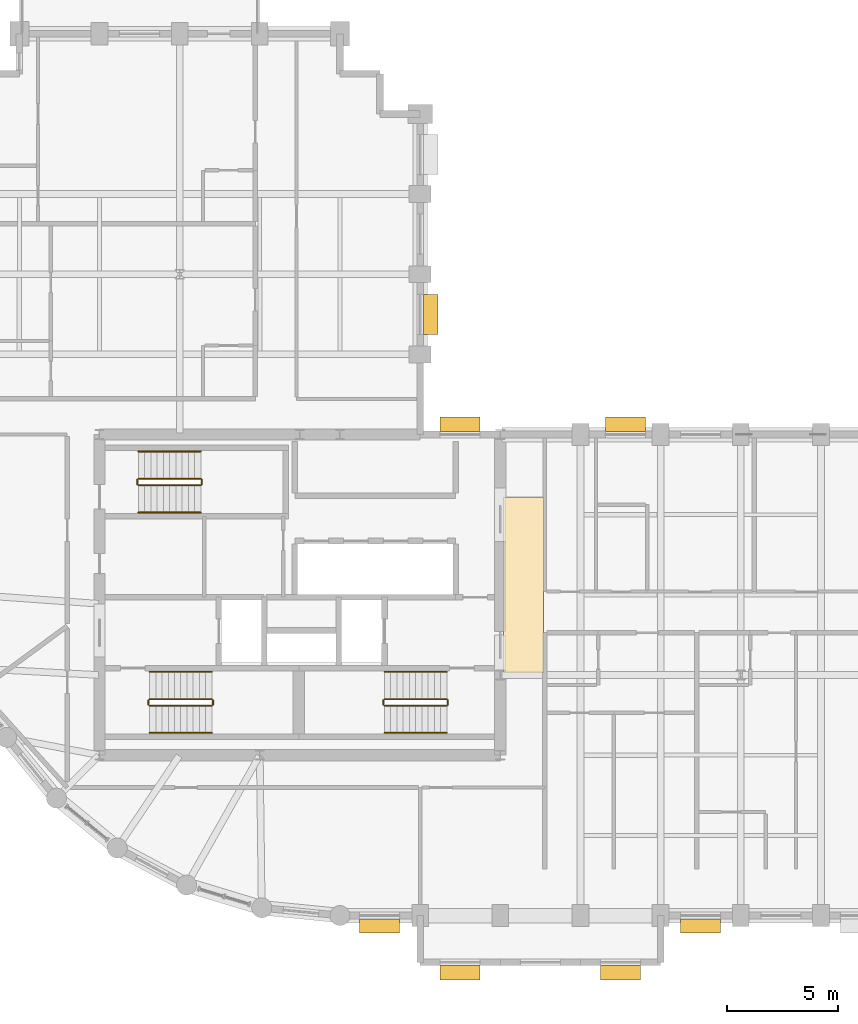
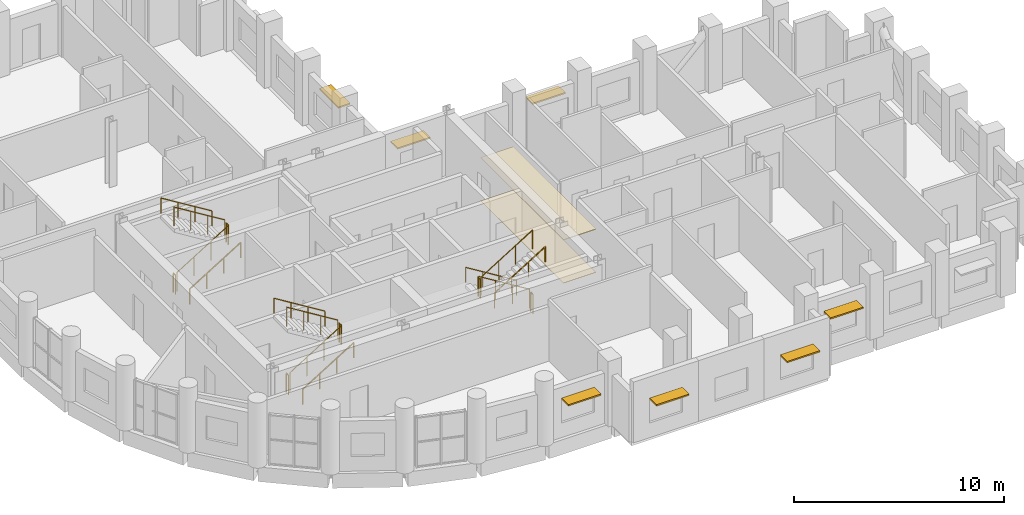
# One storey, part 13 of 14: 18 railings, 7 shading devices, 2 coverings.
"""IFC4 building model written with IfcOpenShell, lengths in metres."""

from ifc_helpers import new_model, si_unit, direction, frame, origin, origin_2d, place, context, subcontext, project, spatial, polyline, rectangle, circle, outline, extrude, material, layer, layer_set, type_object, element, save


model = new_model("IFC4")

# Units and contexts
model_context = context("Model", 3, precision=1e-05, world=origin(), true_north=direction((0.0, 1.0)))
body_context = subcontext(model_context, "Body", "Model", "MODEL_VIEW")
ifc_project = project(units=[si_unit("LENGTHUNIT", "METRE"), si_unit("AREAUNIT", "SQUARE_METRE"), si_unit("VOLUMEUNIT", "CUBIC_METRE"), si_unit("PLANEANGLEUNIT", "RADIAN"), si_unit("MASSUNIT", "GRAM", prefix="KILO")], contexts=[model_context])

# Site, building, storey
site_placement = place(None, origin())
site = spatial("IfcSite", under=ifc_project, at=site_placement, CompositionType="ELEMENT")
building_placement = place(site_placement, origin())
building = spatial("IfcBuilding", under=site, at=building_placement, Name="Solnavia Interchange Tower", CompositionType="ELEMENT")
storey_placement = place(building_placement, frame((0.0, 0.0, 135.199951171875)))
storey = spatial("IfcBuildingStorey", under=building, at=storey_placement, Name="L33", CompositionType="ELEMENT", Elevation=135.199951171875)

# Coverings
ifc_material_1 = material(Name="Perforated Mineral-Fibre & Gypsum Ceiling", Category="gypsum")
ifc_layer_1 = layer(ifc_material_1, 0.0400390625)
ifc_layer_set_1 = layer_set([ifc_layer_1], Name="Perforated Mineral-Fibre & Gypsum Ceiling")
covering_type_1 = type_object("IfcCoveringType", Name="Covering-Ceiling-Acoustic40", PredefinedType="CEILING", material=ifc_layer_set_1)
covering_1_placement = place(storey_placement, frame((0.0, 0.0, 2.5)))
element("IfcCovering", 1, at=covering_1_placement, inside=storey, type_object=covering_type_1, Name="CLG-L33-01 Circulation suspended acoustic ceiling", PredefinedType="CEILING", context=body_context, shape_type="SweptSolid", body=[
    extrude(outline(polyline([(32.550048828125, 14.5), (34.35009765625, 14.5), (34.35009765625, 22.39990234375), (32.550048828125, 22.39990234375), (32.550048828125, 14.5)])), origin(), (0.0, 0.0, 1.0), 0.0400390625),
])
ifc_material_2 = material(Name="Engineered European Oak Flooring", Category="wood")
ifc_layer_2 = layer(ifc_material_2, 0.02001953125)
ifc_layer_set_2 = layer_set([ifc_layer_2], Name="Engineered European Oak Flooring")
covering_type_2 = type_object("IfcCoveringType", Name="Covering-Flooring-Timber20", PredefinedType="FLOORING", material=ifc_layer_set_2)
covering_2_placement = place(storey_placement, origin())
element("IfcCovering", 2, at=covering_2_placement, inside=storey, type_object=covering_type_2, Name="FLR-L33-01 Circulation floor finish", PredefinedType="FLOORING", context=body_context, shape_type="SweptSolid", body=[
    extrude(outline(polyline([(32.550048828125, 14.5), (34.35009765625, 14.5), (34.35009765625, 22.39990234375), (32.550048828125, 22.39990234375), (32.550048828125, 14.5)])), origin(), (0.0, 0.0, 1.0), 0.02001953125),
])

# Railings
ifc_material_3 = material(Name="Painted Steel Balustrade", Category="steel")
railing_type_1 = type_object("IfcRailingType", Name="Railing-StairGuard-1100", PredefinedType="GUARDRAIL", material=ifc_material_3)
railing_1_placement = place(storey_placement, frame((16.64990234375, 13.02001953125, 0.1728515625)))
element("IfcRailing", 3, at=railing_1_placement, inside=storey, type_object=railing_type_1, Name="L33 ST-1 stair guard 1", PredefinedType="GUARDRAIL", context=body_context, shape_type="SweptSolid", body=[
    extrude(circle(Radius=0.02392578125, at=origin_2d()), frame((0.0, 0.0, 1.09619140625), z_axis=(0.851089632645, 0.0, 0.525020415988), x_axis=(0.0, 1.0, 0.0)), (0.0, 0.0, 1.0), 3.2900390625),
    extrude(circle(Radius=0.02099609375, at=origin_2d()), origin(), (0.0, 0.0, 1.0), 1.072021484375),
    extrude(circle(Radius=0.02099609375, at=origin_2d()), frame((0.933349609375, 0.0, 0.57568359375)), (0.0, 0.0, 1.0), 1.072021484375),
    extrude(circle(Radius=0.02099609375, at=origin_2d()), frame((1.86669921875, 0.0, 1.151611328125)), (0.0, 0.0, 1.0), 1.072021484375),
    extrude(circle(Radius=0.02099609375, at=origin_2d()), frame((2.800048828125, 0.0, 1.727294921875)), (0.0, 0.0, 1.0), 1.072021484375),
])
railing_2_placement = place(storey_placement, frame((19.5, 13.070068359375, 1.900146484375)))
element("IfcRailing", 4, at=railing_2_placement, inside=storey, type_object=railing_type_1, Name="L33 ST-1 stair guard 2", PredefinedType="GUARDRAIL", context=body_context, shape_type="SweptSolid", body=[
    extrude(circle(Radius=0.02392578125, at=origin_2d()), frame((0.0, 0.0, 1.09619140625), z_axis=(0.0, 1.0, 0.0), x_axis=(-1.0, 0.0, 0.0)), (0.0, 0.0, 1.0), 0.199951171875),
    extrude(circle(Radius=0.02099609375, at=origin_2d()), origin(), (0.0, 0.0, 1.0), 1.072021484375),
    extrude(circle(Radius=0.02099609375, at=origin_2d()), frame((0.0, 0.199951171875, 0.0)), (0.0, 0.0, 1.0), 1.072021484375),
])
railing_3_placement = place(storey_placement, frame((19.449951171875, 13.320068359375, 2.07275390625)))
element("IfcRailing", 5, at=railing_3_placement, inside=storey, type_object=railing_type_1, Name="L33 ST-1 stair guard 3", PredefinedType="GUARDRAIL", context=body_context, shape_type="SweptSolid", body=[
    extrude(circle(Radius=0.02392578125, at=origin_2d()), frame((0.0, 0.0, 1.09619140625), z_axis=(-0.851089632645, 0.0, 0.525020415988), x_axis=(0.0, -1.0, 0.0)), (0.0, 0.0, 1.0), 3.2900390625),
    extrude(circle(Radius=0.02099609375, at=origin_2d()), origin(), (0.0, 0.0, 1.0), 1.072021484375),
    extrude(circle(Radius=0.02099609375, at=origin_2d()), frame((-0.933349609375, 0.0, 0.57568359375)), (0.0, 0.0, 1.0), 1.072021484375),
    extrude(circle(Radius=0.02099609375, at=origin_2d()), frame((-1.86669921875, 0.0, 1.151611328125)), (0.0, 0.0, 1.0), 1.072021484375),
    extrude(circle(Radius=0.02099609375, at=origin_2d()), frame((-2.800048828125, 0.0, 1.727294921875)), (0.0, 0.0, 1.0), 1.072021484375),
])
railing_4_placement = place(storey_placement, frame((16.60009765625, 13.070068359375, 0.0)))
element("IfcRailing", 6, at=railing_4_placement, inside=storey, type_object=railing_type_1, Name="L33 ST-1 stair guard 4", PredefinedType="GUARDRAIL", context=body_context, shape_type="SweptSolid", body=[
    extrude(circle(Radius=0.02392578125, at=origin_2d()), frame((0.0, 0.0, 1.09619140625), z_axis=(0.0, 1.0, 0.0), x_axis=(-1.0, 0.0, 0.0)), (0.0, 0.0, 1.0), 0.199951171875),
    extrude(circle(Radius=0.02099609375, at=origin_2d()), origin(), (0.0, 0.0, 1.0), 1.072021484375),
    extrude(circle(Radius=0.02099609375, at=origin_2d()), frame((0.0, 0.199951171875, 0.0)), (0.0, 0.0, 1.0), 1.072021484375),
])
railing_5_placement = place(storey_placement, frame((30.0, 13.320068359375, 0.1728515625)))
element("IfcRailing", 7, at=railing_5_placement, inside=storey, type_object=railing_type_1, Name="L33 ST-2 stair guard 1", PredefinedType="GUARDRAIL", context=body_context, shape_type="SweptSolid", body=[
    extrude(circle(Radius=0.02392578125, at=origin_2d()), frame((0.0, 0.0, 1.09619140625), z_axis=(-0.851089632645, 0.0, 0.525020415988), x_axis=(0.0, -1.0, 0.0)), (0.0, 0.0, 1.0), 3.2900390625),
    extrude(circle(Radius=0.02099609375, at=origin_2d()), origin(), (0.0, 0.0, 1.0), 1.072021484375),
    extrude(circle(Radius=0.02099609375, at=origin_2d()), frame((-0.933349609375, 0.0, 0.57568359375)), (0.0, 0.0, 1.0), 1.072021484375),
    extrude(circle(Radius=0.02099609375, at=origin_2d()), frame((-1.86669921875, 0.0, 1.151611328125)), (0.0, 0.0, 1.0), 1.072021484375),
    extrude(circle(Radius=0.02099609375, at=origin_2d()), frame((-2.800048828125, 0.0, 1.727294921875)), (0.0, 0.0, 1.0), 1.072021484375),
])
railing_6_placement = place(storey_placement, frame((27.14990234375, 13.27001953125, 1.900146484375)))
element("IfcRailing", 8, at=railing_6_placement, inside=storey, type_object=railing_type_1, Name="L33 ST-2 stair guard 2", PredefinedType="GUARDRAIL", context=body_context, shape_type="SweptSolid", body=[
    extrude(circle(Radius=0.02392578125, at=origin_2d()), frame((0.0, 0.0, 1.09619140625), z_axis=(0.0, -1.0, 0.0), x_axis=(1.0, 0.0, 0.0)), (0.0, 0.0, 1.0), 0.199951171875),
    extrude(circle(Radius=0.02099609375, at=origin_2d()), origin(), (0.0, 0.0, 1.0), 1.072021484375),
    extrude(circle(Radius=0.02099609375, at=origin_2d()), frame((0.0, -0.199951171875, 0.0)), (0.0, 0.0, 1.0), 1.072021484375),
])
railing_7_placement = place(storey_placement, frame((27.199951171875, 13.02001953125, 2.07275390625)))
element("IfcRailing", 9, at=railing_7_placement, inside=storey, type_object=railing_type_1, Name="L33 ST-2 stair guard 3", PredefinedType="GUARDRAIL", context=body_context, shape_type="SweptSolid", body=[
    extrude(circle(Radius=0.02392578125, at=origin_2d()), frame((0.0, 0.0, 1.09619140625), z_axis=(0.851089632645, 0.0, 0.525020415988), x_axis=(0.0, 1.0, 0.0)), (0.0, 0.0, 1.0), 3.2900390625),
    extrude(circle(Radius=0.02099609375, at=origin_2d()), origin(), (0.0, 0.0, 1.0), 1.072021484375),
    extrude(circle(Radius=0.02099609375, at=origin_2d()), frame((0.933349609375, 0.0, 0.57568359375)), (0.0, 0.0, 1.0), 1.072021484375),
    extrude(circle(Radius=0.02099609375, at=origin_2d()), frame((1.86669921875, 0.0, 1.151611328125)), (0.0, 0.0, 1.0), 1.072021484375),
    extrude(circle(Radius=0.02099609375, at=origin_2d()), frame((2.800048828125, 0.0, 1.727294921875)), (0.0, 0.0, 1.0), 1.072021484375),
])
railing_8_placement = place(storey_placement, frame((30.050048828125, 13.27001953125, 0.0)))
element("IfcRailing", 10, at=railing_8_placement, inside=storey, type_object=railing_type_1, Name="L33 ST-2 stair guard 4", PredefinedType="GUARDRAIL", context=body_context, shape_type="SweptSolid", body=[
    extrude(circle(Radius=0.02392578125, at=origin_2d()), frame((0.0, 0.0, 1.09619140625), z_axis=(0.0, -1.0, 0.0), x_axis=(1.0, 0.0, 0.0)), (0.0, 0.0, 1.0), 0.199951171875),
    extrude(circle(Radius=0.02099609375, at=origin_2d()), origin(), (0.0, 0.0, 1.0), 1.072021484375),
    extrude(circle(Radius=0.02099609375, at=origin_2d()), frame((0.0, -0.199951171875, 0.0)), (0.0, 0.0, 1.0), 1.072021484375),
])
railing_9_placement = place(storey_placement, frame((16.14990234375, 22.919921875, 0.1728515625)))
element("IfcRailing", 11, at=railing_9_placement, inside=storey, type_object=railing_type_1, Name="L33 ST-3 stair guard 1", PredefinedType="GUARDRAIL", context=body_context, shape_type="SweptSolid", body=[
    extrude(circle(Radius=0.02392578125, at=origin_2d()), frame((0.0, 0.0, 1.09619140625), z_axis=(0.851089632645, 0.0, 0.525020415988), x_axis=(0.0, 1.0, 0.0)), (0.0, 0.0, 1.0), 3.2900390625),
    extrude(circle(Radius=0.02099609375, at=origin_2d()), origin(), (0.0, 0.0, 1.0), 1.072021484375),
    extrude(circle(Radius=0.02099609375, at=origin_2d()), frame((0.933349609375, 0.0, 0.57568359375)), (0.0, 0.0, 1.0), 1.072021484375),
    extrude(circle(Radius=0.02099609375, at=origin_2d()), frame((1.86669921875, 0.0, 1.151611328125)), (0.0, 0.0, 1.0), 1.072021484375),
    extrude(circle(Radius=0.02099609375, at=origin_2d()), frame((2.800048828125, 0.0, 1.727294921875)), (0.0, 0.0, 1.0), 1.072021484375),
])
railing_10_placement = place(storey_placement, frame((19.0, 22.969970703125, 1.900146484375)))
element("IfcRailing", 12, at=railing_10_placement, inside=storey, type_object=railing_type_1, Name="L33 ST-3 stair guard 2", PredefinedType="GUARDRAIL", context=body_context, shape_type="SweptSolid", body=[
    extrude(circle(Radius=0.02392578125, at=origin_2d()), frame((0.0, 0.0, 1.09619140625), z_axis=(0.0, 1.0, 0.0), x_axis=(-1.0, 0.0, 0.0)), (0.0, 0.0, 1.0), 0.199951171875),
    extrude(circle(Radius=0.02099609375, at=origin_2d()), origin(), (0.0, 0.0, 1.0), 1.072021484375),
    extrude(circle(Radius=0.02099609375, at=origin_2d()), frame((0.0, 0.199951171875, 0.0)), (0.0, 0.0, 1.0), 1.072021484375),
])
railing_11_placement = place(storey_placement, frame((18.949951171875, 23.219970703125, 2.07275390625)))
element("IfcRailing", 13, at=railing_11_placement, inside=storey, type_object=railing_type_1, Name="L33 ST-3 stair guard 3", PredefinedType="GUARDRAIL", context=body_context, shape_type="SweptSolid", body=[
    extrude(circle(Radius=0.02392578125, at=origin_2d()), frame((0.0, 0.0, 1.09619140625), z_axis=(-0.851089632645, 0.0, 0.525020415988), x_axis=(0.0, -1.0, 0.0)), (0.0, 0.0, 1.0), 3.2900390625),
    extrude(circle(Radius=0.02099609375, at=origin_2d()), origin(), (0.0, 0.0, 1.0), 1.072021484375),
    extrude(circle(Radius=0.02099609375, at=origin_2d()), frame((-0.933349609375, 0.0, 0.57568359375)), (0.0, 0.0, 1.0), 1.072021484375),
    extrude(circle(Radius=0.02099609375, at=origin_2d()), frame((-1.86669921875, 0.0, 1.151611328125)), (0.0, 0.0, 1.0), 1.072021484375),
    extrude(circle(Radius=0.02099609375, at=origin_2d()), frame((-2.800048828125, 0.0, 1.727294921875)), (0.0, 0.0, 1.0), 1.072021484375),
])
railing_12_placement = place(storey_placement, frame((16.10009765625, 22.969970703125, 0.0)))
element("IfcRailing", 14, at=railing_12_placement, inside=storey, type_object=railing_type_1, Name="L33 ST-3 stair guard 4", PredefinedType="GUARDRAIL", context=body_context, shape_type="SweptSolid", body=[
    extrude(circle(Radius=0.02392578125, at=origin_2d()), frame((0.0, 0.0, 1.09619140625), z_axis=(0.0, 1.0, 0.0), x_axis=(-1.0, 0.0, 0.0)), (0.0, 0.0, 1.0), 0.199951171875),
    extrude(circle(Radius=0.02099609375, at=origin_2d()), origin(), (0.0, 0.0, 1.0), 1.072021484375),
    extrude(circle(Radius=0.02099609375, at=origin_2d()), frame((0.0, 0.199951171875, 0.0)), (0.0, 0.0, 1.0), 1.072021484375),
])
ifc_material_4 = material(Name="Brushed Stainless Steel", Category="steel")
railing_type_2 = type_object("IfcRailingType", Name="Railing-StairHandrail-900", PredefinedType="HANDRAIL", material=ifc_material_4)
railing_13_placement = place(storey_placement, frame((16.64990234375, 11.800048828125, 0.1728515625)))
element("IfcRailing", 15, at=railing_13_placement, inside=storey, type_object=railing_type_2, Name="L33 ST-1 stair handrail 1", PredefinedType="HANDRAIL", context=body_context, shape_type="SweptSolid", body=[
    extrude(circle(Radius=0.02392578125, at=origin_2d()), frame((0.0, 0.0, 0.8759765625), z_axis=(0.851089632645, 0.0, 0.525020415988), x_axis=(0.0, 1.0, 0.0)), (0.0, 0.0, 1.0), 3.2900390625),
    extrude(circle(Radius=0.02099609375, at=origin_2d()), origin(), (0.0, 0.0, 1.0), 0.851806640625),
    extrude(circle(Radius=0.02099609375, at=origin_2d()), frame((0.933349609375, 0.0, 0.57568359375)), (0.0, 0.0, 1.0), 0.851806640625),
    extrude(circle(Radius=0.02099609375, at=origin_2d()), frame((1.86669921875, 0.0, 1.151611328125)), (0.0, 0.0, 1.0), 0.851806640625),
    extrude(circle(Radius=0.02099609375, at=origin_2d()), frame((2.800048828125, 0.0, 1.727294921875)), (0.0, 0.0, 1.0), 0.851806640625),
])
for number, where, name in (
    (16, (19.449951171875, 14.5400390625, 2.07275390625), "L33 ST-1 stair handrail 2"),
    (17, (30.0, 14.5400390625, 0.1728515625), "L33 ST-2 stair handrail 1"),
):
    element("IfcRailing", number, at=place(storey_placement, frame(where)), inside=storey, type_object=railing_type_2, Name=name, PredefinedType="HANDRAIL", context=body_context, shape_type="SweptSolid", body=[
        extrude(circle(Radius=0.02392578125, at=origin_2d()), frame((0.0, 0.0, 0.8759765625), z_axis=(-0.851089632645, 0.0, 0.525020415988), x_axis=(0.0, -1.0, 0.0)), (0.0, 0.0, 1.0), 3.2900390625),
        extrude(circle(Radius=0.02099609375, at=origin_2d()), origin(), (0.0, 0.0, 1.0), 0.851806640625),
        extrude(circle(Radius=0.02099609375, at=origin_2d()), frame((-0.933349609375, 0.0, 0.57568359375)), (0.0, 0.0, 1.0), 0.851806640625),
        extrude(circle(Radius=0.02099609375, at=origin_2d()), frame((-1.86669921875, 0.0, 1.151611328125)), (0.0, 0.0, 1.0), 0.851806640625),
        extrude(circle(Radius=0.02099609375, at=origin_2d()), frame((-2.800048828125, 0.0, 1.727294921875)), (0.0, 0.0, 1.0), 0.851806640625),
    ])
for number, where, name in (
    (18, (27.199951171875, 11.800048828125, 2.07275390625), "L33 ST-2 stair handrail 2"),
    (19, (16.14990234375, 21.699951171875, 0.1728515625), "L33 ST-3 stair handrail 1"),
):
    element("IfcRailing", number, at=place(storey_placement, frame(where)), inside=storey, type_object=railing_type_2, Name=name, PredefinedType="HANDRAIL", context=body_context, shape_type="SweptSolid", body=[
        extrude(circle(Radius=0.02392578125, at=origin_2d()), frame((0.0, 0.0, 0.8759765625), z_axis=(0.851089632645, 0.0, 0.525020415988), x_axis=(0.0, 1.0, 0.0)), (0.0, 0.0, 1.0), 3.2900390625),
        extrude(circle(Radius=0.02099609375, at=origin_2d()), origin(), (0.0, 0.0, 1.0), 0.851806640625),
        extrude(circle(Radius=0.02099609375, at=origin_2d()), frame((0.933349609375, 0.0, 0.57568359375)), (0.0, 0.0, 1.0), 0.851806640625),
        extrude(circle(Radius=0.02099609375, at=origin_2d()), frame((1.86669921875, 0.0, 1.151611328125)), (0.0, 0.0, 1.0), 0.851806640625),
        extrude(circle(Radius=0.02099609375, at=origin_2d()), frame((2.800048828125, 0.0, 1.727294921875)), (0.0, 0.0, 1.0), 0.851806640625),
    ])
railing_14_placement = place(storey_placement, frame((18.949951171875, 24.43994140625, 2.07275390625)))
element("IfcRailing", 20, at=railing_14_placement, inside=storey, type_object=railing_type_2, Name="L33 ST-3 stair handrail 2", PredefinedType="HANDRAIL", context=body_context, shape_type="SweptSolid", body=[
    extrude(circle(Radius=0.02392578125, at=origin_2d()), frame((0.0, 0.0, 0.8759765625), z_axis=(-0.851089632645, 0.0, 0.525020415988), x_axis=(0.0, -1.0, 0.0)), (0.0, 0.0, 1.0), 3.2900390625),
    extrude(circle(Radius=0.02099609375, at=origin_2d()), origin(), (0.0, 0.0, 1.0), 0.851806640625),
    extrude(circle(Radius=0.02099609375, at=origin_2d()), frame((-0.933349609375, 0.0, 0.57568359375)), (0.0, 0.0, 1.0), 0.851806640625),
    extrude(circle(Radius=0.02099609375, at=origin_2d()), frame((-1.86669921875, 0.0, 1.151611328125)), (0.0, 0.0, 1.0), 0.851806640625),
    extrude(circle(Radius=0.02099609375, at=origin_2d()), frame((-2.800048828125, 0.0, 1.727294921875)), (0.0, 0.0, 1.0), 0.851806640625),
])

# Shading devices
ifc_material_5 = material(Name="Anodised Aluminium Sunshade", Category="aluminium")
ifc_layer_3 = layer(ifc_material_5, 0.080078125)
ifc_layer_set_3 = layer_set([ifc_layer_3], Name="Anodised Aluminium Sunshade")
shading_device_type = type_object("IfcShadingDeviceType", Name="Sunshade-Band-650", PredefinedType="SHUTTER", material=ifc_layer_set_3)
for number, where, z_axis, x_axis, name in (
    (21, (26.97509765625, 3.1298828125, 2.219970703125), (0.0, 0.0, 1.0), (-1.0, 0.0, 0.0), "SHD-L33-01 Horizontal sunshade band"),
    (22, (30.60009765625, 1.030029296875, 2.219970703125), (0.0, 0.0, 1.0), (-1.0, 0.0, 0.0), "SHD-L33-03 Horizontal sunshade band"),
    (23, (37.800048828125, 1.030029296875, 2.219970703125), (0.0, 0.0, 1.0), (-1.0, 0.0, 0.0), "SHD-L33-05 Horizontal sunshade band"),
    (24, (41.39990234375, 3.1298828125, 2.219970703125), (0.0, 0.0, 1.0), (-1.0, 0.0, 0.0), "SHD-L33-07 Horizontal sunshade band"),
    (25, (38.02001953125, 25.669921875, 2.219970703125), (0.0, 0.0, 1.0), (1.0, 0.0, 0.0), "SHD-L33-25 Horizontal sunshade band"),
    (26, (30.583984375, 25.669921875, 2.219970703125), (0.0, 0.0, 1.0), (1.0, 0.0, 0.0), "SHD-L33-27 Horizontal sunshade band"),
    (27, (29.27001953125, 30.60009765625, 2.219970703125), (0.0, 0.0, 1.0), (0.0, -1.0, 0.0), "SHD-L33-29 Horizontal sunshade band"),
):
    element("IfcShadingDevice", number, at=place(storey_placement, frame(where, z_axis=z_axis, x_axis=x_axis)), inside=storey, type_object=shading_device_type, Name=name, PredefinedType="SHUTTER", context=body_context, shape_type="SweptSolid", body=[
        extrude(rectangle(XDim=1.800048828125, YDim=0.64990234375, at=origin_2d()), origin(), (0.0, 0.0, 1.0), 0.080078125),
    ])

save(model, "model.ifc")
